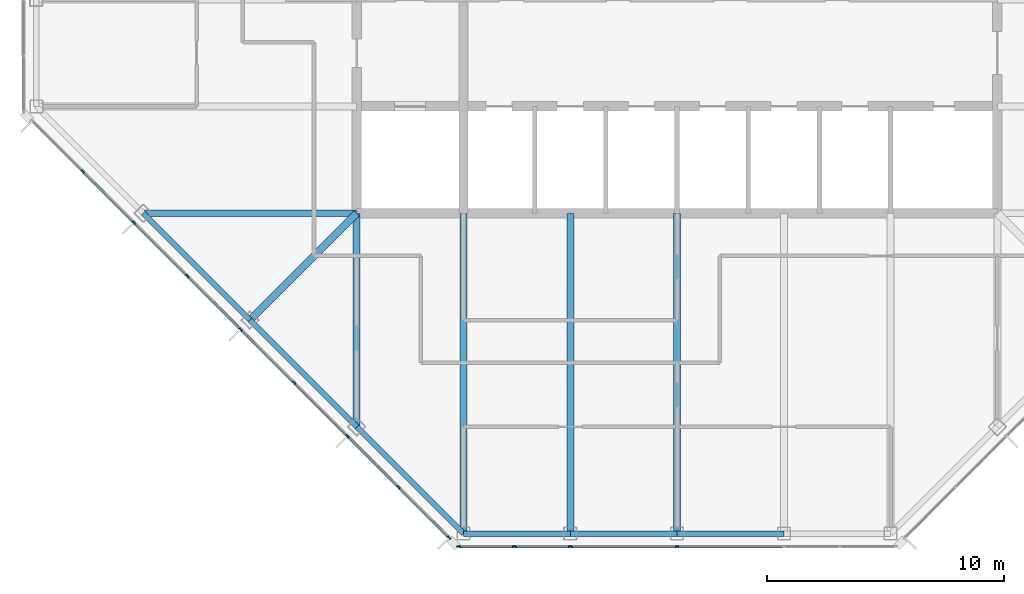
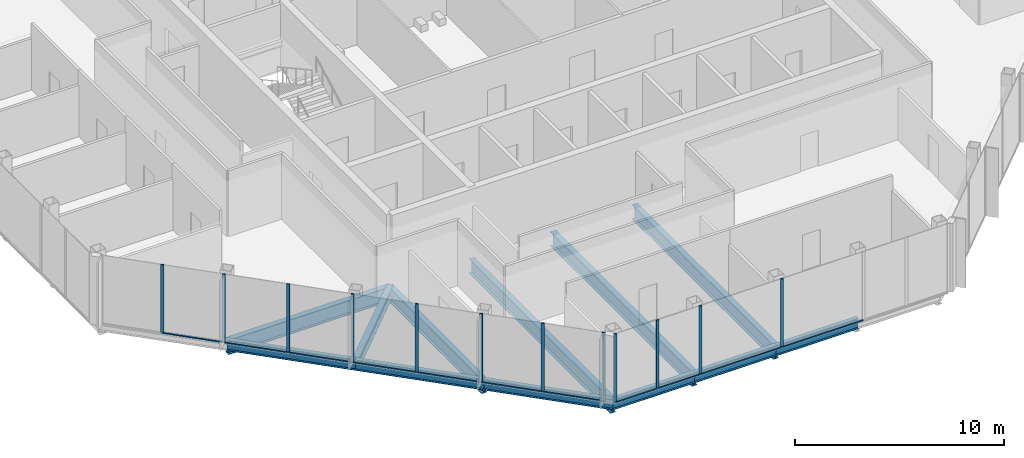
# One storey, part 2 of 14: 23 members, 12 beams, 2 elements without a shape of their own.
"""IFC4 building model written with IfcOpenShell, lengths in metres."""

from ifc_helpers import new_model, si_unit, direction, frame, origin, origin_2d, place, context, subcontext, project, spatial, rectangle, i_section, extrude, material, material_profile, profile_set, type_object, element, aggregate, save


model = new_model("IFC4")

# Units and contexts
model_context = context("Model", 3, precision=1e-05, world=origin(), true_north=direction((0.0, 1.0)))
body_context = subcontext(model_context, "Body", "Model", "MODEL_VIEW")
ifc_project = project(units=[si_unit("LENGTHUNIT", "METRE"), si_unit("AREAUNIT", "SQUARE_METRE"), si_unit("VOLUMEUNIT", "CUBIC_METRE"), si_unit("PLANEANGLEUNIT", "RADIAN"), si_unit("MASSUNIT", "GRAM", prefix="KILO")], contexts=[model_context])

# Site, building, storey
site_placement = place(None, origin())
site = spatial("IfcSite", under=ifc_project, at=site_placement, CompositionType="ELEMENT")
building_placement = place(site_placement, origin())
building = spatial("IfcBuilding", under=site, at=building_placement, Name="Corais Broadcast Tower", CompositionType="ELEMENT")
storey_placement = place(building_placement, frame((0.0, 0.0, 298.60009765625)))
storey = spatial("IfcBuildingStorey", under=building, at=storey_placement, Name="L70", CompositionType="ELEMENT", Elevation=298.60009765625)

# Beams
ifc_material_1 = material(Name="Steel ASTM A572 Grade 50", Category="steel")
ifc_material_profile_1 = material_profile(ifc_material_1, i_section(OverallWidth=0.323974609375, OverallDepth=0.611083984375, WebThickness=0.0126953125, FlangeThickness=0.01904296875, at=origin_2d()), Name="W610x155")
ifc_profile_set_1 = profile_set([ifc_material_profile_1], Name="Steel ASTM A572 Grade 50")
beam_type_1 = type_object("IfcBeamType", Name="Corner diagonal W610x155", PredefinedType="BEAM", material=ifc_profile_set_1)
beam_1_placement = place(storey_placement, frame((9.0, 9.0, -0.465576171875), z_axis=(0.707106781187, 0.707106781187, 0.0), x_axis=(-0.707106781187, 0.707106781187, 0.0)))
element("IfcBeam", 1, at=beam_1_placement, inside=storey, type_object=beam_type_1, Name="B6 C/5 to D/6", PredefinedType="BEAM", context=body_context, shape_type="SweptSolid", body=[
    extrude(i_section(OverallWidth=0.323974609375, OverallDepth=0.611083984375, WebThickness=0.0126953125, FlangeThickness=0.01904296875, at=origin_2d()), origin(), (0.0, 0.0, 1.0), 6.364013671875),
])
ifc_material_2 = material(Name="Steel ASTM A572 Grade 50", Category="steel")
ifc_material_profile_2 = material_profile(ifc_material_2, i_section(OverallWidth=0.2939453125, OverallDepth=0.85107421875, WebThickness=0.01611328125, FlangeThickness=0.02685546875, at=origin_2d()), Name="W840x226")
ifc_profile_set_2 = profile_set([ifc_material_profile_2], Name="Steel ASTM A572 Grade 50")
beam_type_2 = type_object("IfcBeamType", Name="Floor beam W840x226", PredefinedType="BEAM", material=ifc_profile_set_2)
beam_2_placement = place(storey_placement, frame((13.5, 4.5, -0.585693359375), z_axis=(0.0, 1.0, 0.0), x_axis=(-1.0, 0.0, 0.0)))
element("IfcBeam", 2, at=beam_2_placement, inside=storey, type_object=beam_type_2, Name="B1 B/6 to D/6", PredefinedType="BEAM", context=body_context, shape_type="SweptSolid", body=[
    extrude(i_section(OverallWidth=0.2939453125, OverallDepth=0.85107421875, WebThickness=0.01611328125, FlangeThickness=0.02685546875, at=origin_2d()), origin(), (0.0, 0.0, 1.0), 9.0),
])
for number, where, z_axis, x_axis, name in (
    (3, (18.0, 0.0, -0.585693359375), (0.0, 1.0, 0.0), (-1.0, 0.0, 0.0), "B1 A/7 to D/7"),
    (4, (22.5, 0.0, -0.585693359375), (0.0, 1.0, 0.0), (-1.0, 0.0, 0.0), "B1 A/8 to D/8"),
    (5, (27.0, 0.0, -0.585693359375), (0.0, 1.0, 0.0), (-1.0, 0.0, 0.0), "B1 A/9 to D/9"),
):
    element("IfcBeam", number, at=place(storey_placement, frame(where, z_axis=z_axis, x_axis=x_axis)), inside=storey, type_object=beam_type_2, Name=name, PredefinedType="BEAM", context=body_context, shape_type="SweptSolid", body=[
        extrude(i_section(OverallWidth=0.2939453125, OverallDepth=0.85107421875, WebThickness=0.01611328125, FlangeThickness=0.02685546875, at=origin_2d()), origin(), (0.0, 0.0, 1.0), 13.5),
    ])
beam_3_placement = place(storey_placement, frame((4.5, 13.5, -0.585693359375), z_axis=(1.0, 0.0, 0.0), x_axis=(0.0, 1.0, 0.0)))
element("IfcBeam", 6, at=beam_3_placement, inside=storey, type_object=beam_type_2, Name="B1 D/4 to D/6", PredefinedType="BEAM", context=body_context, shape_type="SweptSolid", body=[
    extrude(i_section(OverallWidth=0.2939453125, OverallDepth=0.85107421875, WebThickness=0.01611328125, FlangeThickness=0.02685546875, at=origin_2d()), origin(), (0.0, 0.0, 1.0), 9.0),
])

# Curtain wall, members
ifc_material_3 = material(Name="Aluminium and glass", Category="aluminium")
curtain_wall_type = type_object("IfcCurtainWallType", Name="Unitised fritted curtain wall CW3", PredefinedType="NOTDEFINED", material=ifc_material_3)
curtain_wall_1_placement = place(storey_placement, origin())
curtain_wall_1 = element("IfcCurtainWall", 7, at=curtain_wall_1_placement, inside=storey, type_object=curtain_wall_type, Name="CW3 curtain wall L70 1", PredefinedType="NOTDEFINED")
ifc_material_4 = material(Name="Aluminium 6063-T6", Category="aluminium")
ifc_material_profile_3 = material_profile(ifc_material_4, rectangle(XDim=0.06494140625, YDim=0.159912109375, at=origin_2d()), Name="Mullion CW3 65x160")
ifc_profile_set_3 = profile_set([ifc_material_profile_3], Name="Aluminium 6063-T6")
member_type_1 = type_object("IfcMemberType", Name="Mullion CW3 65x160", PredefinedType="MULLION", material=ifc_profile_set_3)
member_1_placement = place(storey_placement, frame((17.3955078125, -0.17333984375, 0.0), z_axis=(0.0, 0.0, 1.0), x_axis=(-0.707106781187, -0.707106781187, 0.0)))
member_1 = element("IfcMember", 8, at=member_1_placement, type_object=member_type_1, Name="CW3 mullion 1", PredefinedType="MULLION", context=body_context, shape_type="SweptSolid", body=[
    extrude(rectangle(XDim=0.06494140625, YDim=0.159912109375, at=origin_2d()), origin(), (0.0, 0.0, 1.0), 4.0),
])
member_2_placement = place(storey_placement, frame((15.264892578125, 1.957275390625, 0.0), z_axis=(0.0, 0.0, 1.0), x_axis=(-0.707106781187, -0.707106781187, 0.0)))
member_2 = element("IfcMember", 9, at=member_2_placement, type_object=member_type_1, Name="CW3 mullion 2", PredefinedType="MULLION", context=body_context, shape_type="SweptSolid", body=[
    extrude(rectangle(XDim=0.06494140625, YDim=0.159912109375, at=origin_2d()), origin(), (0.0, 0.0, 1.0), 4.0),
])
member_3_placement = place(storey_placement, frame((13.111083984375, 4.111083984375, 0.0), z_axis=(0.0, 0.0, 1.0), x_axis=(-0.707106781187, -0.707106781187, 0.0)))
member_3 = element("IfcMember", 10, at=member_3_placement, type_object=member_type_1, Name="CW3 mullion 3", PredefinedType="MULLION", context=body_context, shape_type="SweptSolid", body=[
    extrude(rectangle(XDim=0.06494140625, YDim=0.159912109375, at=origin_2d()), origin(), (0.0, 0.0, 1.0), 4.0),
])
member_4_placement = place(storey_placement, frame((10.861083984375, 6.361083984375, 0.0), z_axis=(0.0, 0.0, 1.0), x_axis=(-0.707106781187, -0.707106781187, 0.0)))
member_4 = element("IfcMember", 11, at=member_4_placement, type_object=member_type_1, Name="CW3 mullion 4", PredefinedType="MULLION", context=body_context, shape_type="SweptSolid", body=[
    extrude(rectangle(XDim=0.06494140625, YDim=0.159912109375, at=origin_2d()), origin(), (0.0, 0.0, 1.0), 4.0),
])
member_5_placement = place(storey_placement, frame((8.611083984375, 8.611083984375, 0.0), z_axis=(0.0, 0.0, 1.0), x_axis=(-0.707106781187, -0.707106781187, 0.0)))
member_5 = element("IfcMember", 12, at=member_5_placement, type_object=member_type_1, Name="CW3 mullion 5", PredefinedType="MULLION", context=body_context, shape_type="SweptSolid", body=[
    extrude(rectangle(XDim=0.06494140625, YDim=0.159912109375, at=origin_2d()), origin(), (0.0, 0.0, 1.0), 4.0),
])
member_6_placement = place(storey_placement, frame((6.361083984375, 10.861083984375, 0.0), z_axis=(0.0, 0.0, 1.0), x_axis=(-0.707106781187, -0.707106781187, 0.0)))
member_6 = element("IfcMember", 13, at=member_6_placement, type_object=member_type_1, Name="CW3 mullion 6", PredefinedType="MULLION", context=body_context, shape_type="SweptSolid", body=[
    extrude(rectangle(XDim=0.06494140625, YDim=0.159912109375, at=origin_2d()), origin(), (0.0, 0.0, 1.0), 4.0),
])
member_7_placement = place(storey_placement, frame((4.111083984375, 13.111083984375, 0.0), z_axis=(0.0, 0.0, 1.0), x_axis=(-0.707106781187, -0.707106781187, 0.0)))
member_7 = element("IfcMember", 14, at=member_7_placement, type_object=member_type_1, Name="CW3 mullion 7", PredefinedType="MULLION", context=body_context, shape_type="SweptSolid", body=[
    extrude(rectangle(XDim=0.06494140625, YDim=0.159912109375, at=origin_2d()), origin(), (0.0, 0.0, 1.0), 4.0),
])
member_8_placement = place(storey_placement, frame((1.957275390625, 15.264892578125, 0.0), z_axis=(0.0, 0.0, 1.0), x_axis=(-0.707106781187, -0.707106781187, 0.0)))
member_8 = element("IfcMember", 15, at=member_8_placement, type_object=member_type_1, Name="CW3 mullion 8", PredefinedType="MULLION", context=body_context, shape_type="SweptSolid", body=[
    extrude(rectangle(XDim=0.06494140625, YDim=0.159912109375, at=origin_2d()), origin(), (0.0, 0.0, 1.0), 4.0),
])

curtain_wall_2_placement = place(storey_placement, origin())
curtain_wall_2 = element("IfcCurtainWall", 16, at=curtain_wall_2_placement, inside=storey, type_object=curtain_wall_type, Name="CW3 curtain wall L70 8", PredefinedType="NOTDEFINED")
member_9_placement = place(storey_placement, frame((27.0, -0.550048828125, 0.0), z_axis=(0.0, 0.0, 1.0), x_axis=(0.0, -1.0, 0.0)))
member_9 = element("IfcMember", 17, at=member_9_placement, type_object=member_type_1, Name="CW3 mullion 4", PredefinedType="MULLION", context=body_context, shape_type="SweptSolid", body=[
    extrude(rectangle(XDim=0.06494140625, YDim=0.159912109375, at=origin_2d()), origin(), (0.0, 0.0, 1.0), 4.0),
])
member_10_placement = place(storey_placement, frame((22.5, -0.550048828125, 0.0), z_axis=(0.0, 0.0, 1.0), x_axis=(0.0, -1.0, 0.0)))
member_10 = element("IfcMember", 18, at=member_10_placement, type_object=member_type_1, Name="CW3 mullion 5", PredefinedType="MULLION", context=body_context, shape_type="SweptSolid", body=[
    extrude(rectangle(XDim=0.06494140625, YDim=0.159912109375, at=origin_2d()), origin(), (0.0, 0.0, 1.0), 4.0),
])
member_11_placement = place(storey_placement, frame((20.135986328125, -0.550048828125, 0.0), z_axis=(0.0, 0.0, 1.0), x_axis=(0.0, -1.0, 0.0)))
member_11 = element("IfcMember", 19, at=member_11_placement, type_object=member_type_1, Name="CW3 mullion 6", PredefinedType="MULLION", context=body_context, shape_type="SweptSolid", body=[
    extrude(rectangle(XDim=0.06494140625, YDim=0.159912109375, at=origin_2d()), origin(), (0.0, 0.0, 1.0), 4.0),
])
member_12_placement = place(storey_placement, frame((17.8046875, -0.550048828125, 0.0), z_axis=(0.0, 0.0, 1.0), x_axis=(0.0, -1.0, 0.0)))
member_12 = element("IfcMember", 20, at=member_12_placement, type_object=member_type_1, Name="CW3 mullion 7", PredefinedType="MULLION", context=body_context, shape_type="SweptSolid", body=[
    extrude(rectangle(XDim=0.06494140625, YDim=0.159912109375, at=origin_2d()), origin(), (0.0, 0.0, 1.0), 4.0),
])

# Beams
ifc_material_5 = material(Name="Steel ASTM A572 Grade 50", Category="steel")
ifc_material_profile_4 = material_profile(ifc_material_5, i_section(OverallWidth=0.22998046875, OverallDepth=0.616943359375, WebThickness=0.01318359375, FlangeThickness=0.022216796875, at=origin_2d()), Name="W610x140")
ifc_profile_set_4 = profile_set([ifc_material_profile_4], Name="Steel ASTM A572 Grade 50")
beam_type_3 = type_object("IfcBeamType", Name="Spandrel W610x140", PredefinedType="BEAM", material=ifc_profile_set_4)
beam_4_placement = place(storey_placement, frame((13.5, 4.5, -0.468505859375), z_axis=(0.707106781187, -0.707106781187, 0.0), x_axis=(0.707106781187, 0.707106781187, 0.0)))
element("IfcBeam", 21, at=beam_4_placement, inside=storey, type_object=beam_type_3, Name="SB3 B/6 to A/7", PredefinedType="BEAM", context=body_context, shape_type="SweptSolid", body=[
    extrude(i_section(OverallWidth=0.22998046875, OverallDepth=0.616943359375, WebThickness=0.01318359375, FlangeThickness=0.022216796875, at=origin_2d()), origin(), (0.0, 0.0, 1.0), 6.364013671875),
])
for number, where, z_axis, x_axis, name in (
    (22, (18.0, 0.0, -0.468505859375), (1.0, 0.0, 0.0), (0.0, 1.0, 0.0), "SB3 A/7 to A/8"),
    (23, (22.5, 0.0, -0.468505859375), (1.0, 0.0, 0.0), (0.0, 1.0, 0.0), "SB3 A/8 to A/9"),
    (24, (27.0, 0.0, -0.468505859375), (1.0, 0.0, 0.0), (0.0, 1.0, 0.0), "SB3 A/9 to A/10"),
):
    element("IfcBeam", number, at=place(storey_placement, frame(where, z_axis=z_axis, x_axis=x_axis)), inside=storey, type_object=beam_type_3, Name=name, PredefinedType="BEAM", context=body_context, shape_type="SweptSolid", body=[
        extrude(i_section(OverallWidth=0.22998046875, OverallDepth=0.616943359375, WebThickness=0.01318359375, FlangeThickness=0.022216796875, at=origin_2d()), origin(), (0.0, 0.0, 1.0), 4.5),
    ])
for number, where, z_axis, x_axis, name in (
    (25, (4.5, 13.5, -0.468505859375), (0.707106781187, -0.707106781187, 0.0), (0.707106781187, 0.707106781187, 0.0), "SB3 D/4 to C/5"),
    (26, (9.0, 9.0, -0.468505859375), (0.707106781187, -0.707106781187, 0.0), (0.707106781187, 0.707106781187, 0.0), "SB3 C/5 to B/6"),
):
    element("IfcBeam", number, at=place(storey_placement, frame(where, z_axis=z_axis, x_axis=x_axis)), inside=storey, type_object=beam_type_3, Name=name, PredefinedType="BEAM", context=body_context, shape_type="SweptSolid", body=[
        extrude(i_section(OverallWidth=0.22998046875, OverallDepth=0.616943359375, WebThickness=0.01318359375, FlangeThickness=0.022216796875, at=origin_2d()), origin(), (0.0, 0.0, 1.0), 6.364013671875),
    ])

# Member
ifc_material_6 = material(Name="Aluminium 6063-T6", Category="aluminium")
ifc_material_profile_5 = material_profile(ifc_material_6, rectangle(XDim=0.1201171875, YDim=0.06494140625, at=origin_2d()), Name="Transom CW3 65x120")
ifc_profile_set_5 = profile_set([ifc_material_profile_5], Name="Aluminium 6063-T6")
member_type_2 = type_object("IfcMemberType", Name="Transom CW3 65x120", PredefinedType="USERDEFINED", material=ifc_profile_set_5)
member_13_placement = place(storey_placement, frame((17.37255859375, -0.150390625, 0.032470703125), z_axis=(-0.707106781187, 0.707106781187, 0.0), x_axis=(-0.707106781187, -0.707106781187, 0.0)))
member_13 = element("IfcMember", 27, at=member_13_placement, type_object=member_type_2, Name="CW3 transom 1.1", ObjectType="TRANSOM", PredefinedType="USERDEFINED", context=body_context, shape_type="SweptSolid", body=[
    extrude(rectangle(XDim=0.1201171875, YDim=0.06494140625, at=origin_2d()), origin(), (0.0, 0.0, 1.0), 2.9482421875),
])

member_14_placement = place(storey_placement, frame((15.241943359375, 1.980224609375, 0.032470703125), z_axis=(-0.707106781187, 0.707106781187, 0.0), x_axis=(-0.707106781187, -0.707106781187, 0.0)))
member_14 = element("IfcMember", 28, at=member_14_placement, type_object=member_type_2, Name="CW3 transom 2.1", ObjectType="TRANSOM", PredefinedType="USERDEFINED", context=body_context, shape_type="SweptSolid", body=[
    extrude(rectangle(XDim=0.1201171875, YDim=0.06494140625, at=origin_2d()), origin(), (0.0, 0.0, 1.0), 2.98095703125),
])

member_15_placement = place(storey_placement, frame((13.088134765625, 4.134033203125, 0.032470703125), z_axis=(-0.707106781187, 0.707106781187, 0.0), x_axis=(-0.707106781187, -0.707106781187, 0.0)))
member_15 = element("IfcMember", 29, at=member_15_placement, type_object=member_type_2, Name="CW3 transom 3.1", ObjectType="TRANSOM", PredefinedType="USERDEFINED", context=body_context, shape_type="SweptSolid", body=[
    extrude(rectangle(XDim=0.1201171875, YDim=0.06494140625, at=origin_2d()), origin(), (0.0, 0.0, 1.0), 3.1171875),
])

member_16_placement = place(storey_placement, frame((10.838134765625, 6.384033203125, 0.032470703125), z_axis=(-0.707106781187, 0.707106781187, 0.0), x_axis=(-0.707106781187, -0.707106781187, 0.0)))
member_16 = element("IfcMember", 30, at=member_16_placement, type_object=member_type_2, Name="CW3 transom 4.1", ObjectType="TRANSOM", PredefinedType="USERDEFINED", context=body_context, shape_type="SweptSolid", body=[
    extrude(rectangle(XDim=0.1201171875, YDim=0.06494140625, at=origin_2d()), origin(), (0.0, 0.0, 1.0), 3.1171875),
])

member_17_placement = place(storey_placement, frame((8.588134765625, 8.634033203125, 0.032470703125), z_axis=(-0.707106781187, 0.707106781187, 0.0), x_axis=(-0.707106781187, -0.707106781187, 0.0)))
member_17 = element("IfcMember", 31, at=member_17_placement, type_object=member_type_2, Name="CW3 transom 5.1", ObjectType="TRANSOM", PredefinedType="USERDEFINED", context=body_context, shape_type="SweptSolid", body=[
    extrude(rectangle(XDim=0.1201171875, YDim=0.06494140625, at=origin_2d()), origin(), (0.0, 0.0, 1.0), 3.1171875),
])

member_18_placement = place(storey_placement, frame((6.338134765625, 10.884033203125, 0.032470703125), z_axis=(-0.707106781187, 0.707106781187, 0.0), x_axis=(-0.707106781187, -0.707106781187, 0.0)))
member_18 = element("IfcMember", 32, at=member_18_placement, type_object=member_type_2, Name="CW3 transom 6.1", ObjectType="TRANSOM", PredefinedType="USERDEFINED", context=body_context, shape_type="SweptSolid", body=[
    extrude(rectangle(XDim=0.1201171875, YDim=0.06494140625, at=origin_2d()), origin(), (0.0, 0.0, 1.0), 3.1171875),
])

member_19_placement = place(storey_placement, frame((4.088134765625, 13.134033203125, 0.032470703125), z_axis=(-0.707065828661, 0.70714773134, 0.0), x_axis=(-0.70714773134, -0.707065828661, 0.0)))
member_19 = element("IfcMember", 33, at=member_19_placement, type_object=member_type_2, Name="CW3 transom 7.1", ObjectType="TRANSOM", PredefinedType="USERDEFINED", context=body_context, shape_type="SweptSolid", body=[
    extrude(rectangle(XDim=0.1201171875, YDim=0.06494140625, at=origin_2d()), origin(), (0.0, 0.0, 1.0), 2.98095703125),
])

aggregate(curtain_wall_1, [member_1, member_2, member_3, member_4, member_5, member_6, member_7, member_8, member_13, member_14, member_15, member_16, member_17, member_18, member_19])

member_20_placement = place(storey_placement, frame((31.467529296875, -0.550048828125, 0.032470703125), z_axis=(-1.0, 0.0, 0.0), x_axis=(0.0, -1.0, 0.0)))
member_20 = element("IfcMember", 34, at=member_20_placement, type_object=member_type_2, Name="CW3 transom 3.1", ObjectType="TRANSOM", PredefinedType="USERDEFINED", context=body_context, shape_type="SweptSolid", body=[
    extrude(rectangle(XDim=0.1201171875, YDim=0.06494140625, at=origin_2d()), origin(), (0.0, 0.0, 1.0), 4.43505859375),
])

member_21_placement = place(storey_placement, frame((26.967529296875, -0.550048828125, 0.032470703125), z_axis=(-1.0, 0.0, 0.0), x_axis=(0.0, -1.0, 0.0)))
member_21 = element("IfcMember", 35, at=member_21_placement, type_object=member_type_2, Name="CW3 transom 4.1", ObjectType="TRANSOM", PredefinedType="USERDEFINED", context=body_context, shape_type="SweptSolid", body=[
    extrude(rectangle(XDim=0.1201171875, YDim=0.06494140625, at=origin_2d()), origin(), (0.0, 0.0, 1.0), 4.43505859375),
])

member_22_placement = place(storey_placement, frame((22.467529296875, -0.550048828125, 0.032470703125), z_axis=(-1.0, 0.0, 0.0), x_axis=(0.0, -1.0, 0.0)))
member_22 = element("IfcMember", 36, at=member_22_placement, type_object=member_type_2, Name="CW3 transom 5.1", ObjectType="TRANSOM", PredefinedType="USERDEFINED", context=body_context, shape_type="SweptSolid", body=[
    extrude(rectangle(XDim=0.1201171875, YDim=0.06494140625, at=origin_2d()), origin(), (0.0, 0.0, 1.0), 2.298828125),
])

member_23_placement = place(storey_placement, frame((20.103515625, -0.550048828125, 0.032470703125), z_axis=(-1.0, 0.0, 0.0), x_axis=(0.0, -1.0, 0.0)))
member_23 = element("IfcMember", 37, at=member_23_placement, type_object=member_type_2, Name="CW3 transom 6.1", ObjectType="TRANSOM", PredefinedType="USERDEFINED", context=body_context, shape_type="SweptSolid", body=[
    extrude(rectangle(XDim=0.1201171875, YDim=0.06494140625, at=origin_2d()), origin(), (0.0, 0.0, 1.0), 2.266357421875),
])

aggregate(curtain_wall_2, [member_9, member_10, member_11, member_12, member_20, member_21, member_22, member_23])

save(model, "model.ifc")
